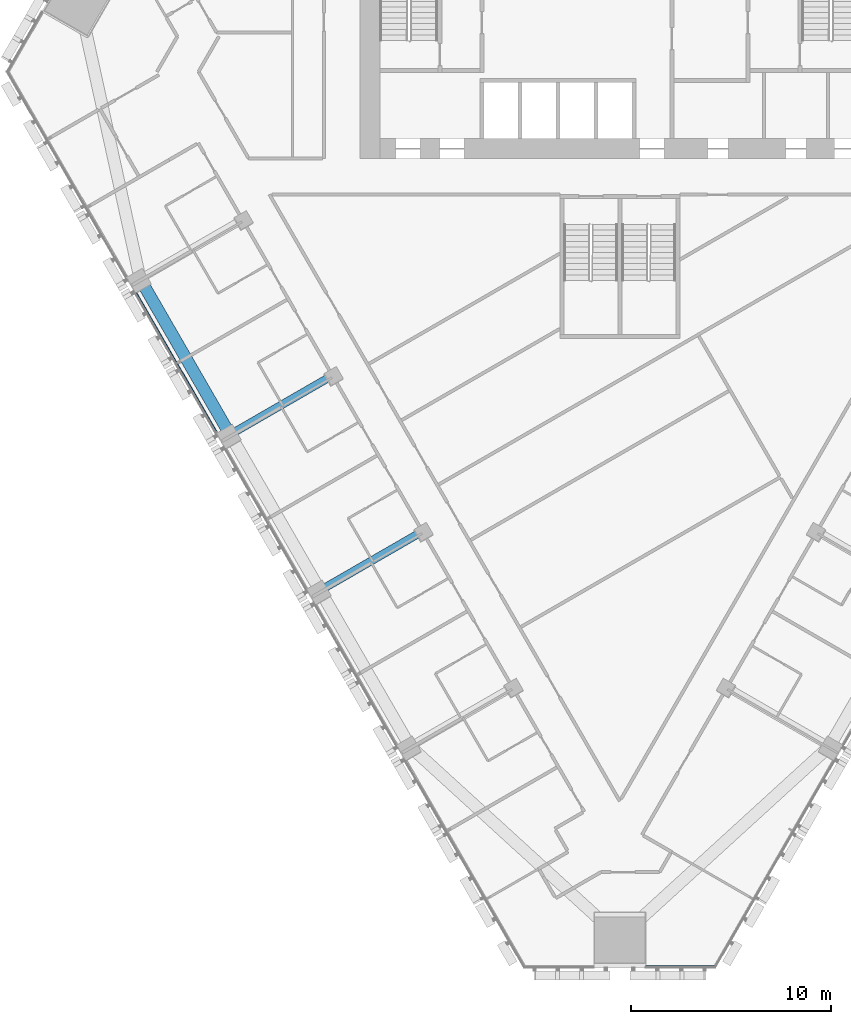
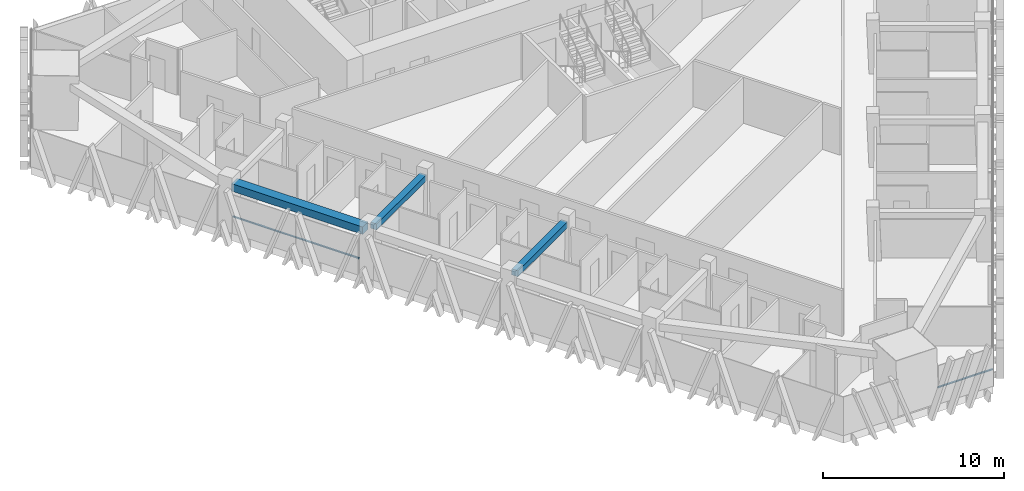
# One storey, part 3 of 18: 3 beams, 2 members, 2 elements without a shape of their own.
"""IFC4 building model written with IfcOpenShell, lengths in metres."""

from ifc_helpers import new_model, si_unit, direction, frame, origin, origin_2d, place, context, subcontext, project, spatial, rectangle, extrude, material, layer, layer_set, material_profile, profile_set, type_object, element, aggregate, save


model = new_model("IFC4")

# Units and contexts
model_context = context("Model", 3, precision=1e-05, world=origin(), true_north=direction((0.0, 1.0)))
body_context = subcontext(model_context, "Body", "Model", "MODEL_VIEW")
ifc_project = project(units=[si_unit("LENGTHUNIT", "METRE"), si_unit("AREAUNIT", "SQUARE_METRE"), si_unit("VOLUMEUNIT", "CUBIC_METRE"), si_unit("PLANEANGLEUNIT", "RADIAN"), si_unit("MASSUNIT", "GRAM", prefix="KILO")], contexts=[model_context])

# Site, building, storey
site_placement = place(None, origin())
site = spatial("IfcSite", under=ifc_project, at=site_placement, CompositionType="ELEMENT")
building_placement = place(site_placement, origin())
building = spatial("IfcBuilding", under=site, at=building_placement, Name="Altiplano Prism Tower", CompositionType="ELEMENT")
storey_placement = place(building_placement, frame((0.0, 0.0, 48.60009765625)))
storey = spatial("IfcBuildingStorey", under=building, at=storey_placement, Name="L11", CompositionType="ELEMENT", Elevation=48.60009765625)

# Curtain wall, member
ifc_material_1 = material(Name="Aluminium and glass", Category="aluminium")
ifc_layer = layer(ifc_material_1, 0.280029296875)
ifc_layer_set = layer_set([ifc_layer], Name="Aluminium and glass")
curtain_wall_type = type_object("IfcCurtainWallType", Name="CW1 typical co-living unitised curtain wall", PredefinedType="NOTDEFINED", material=ifc_layer_set)
curtain_wall_1_placement = place(storey_placement, origin())
curtain_wall_1 = element("IfcCurtainWall", 1, at=curtain_wall_1_placement, inside=storey, type_object=curtain_wall_type, Name="CW1 curtain wall south-west face L11", PredefinedType="NOTDEFINED")
ifc_material_2 = material(Name="Aluminium", Category="aluminium")
ifc_material_profile_1 = material_profile(ifc_material_2, rectangle(XDim=0.06005859375, YDim=0.080078125, at=origin_2d()), Name="CW1 transom 80 x 60")
ifc_profile_set_1 = profile_set([ifc_material_profile_1], Name="Aluminium")
member_type = type_object("IfcMemberType", Name="CW1 transom 80 x 60", PredefinedType="USERDEFINED", material=ifc_profile_set_1)
member_1_placement = place(storey_placement, frame((60.829345703125, 85.667236328125, 1.099853515625), z_axis=(0.500012318566, -0.86601829154, 0.0), x_axis=(0.86601829154, 0.500012318566, 0.0)))
member_1 = element("IfcMember", 2, at=member_1_placement, type_object=member_type, Name="CW1 transom", ObjectType="TRANSOM", PredefinedType="USERDEFINED", context=body_context, shape_type="SweptSolid", body=[
    extrude(rectangle(XDim=0.06005859375, YDim=0.080078125, at=origin_2d()), origin(), (0.0, 0.0, 1.0), 8.019775390625),
])
aggregate(curtain_wall_1, [member_1])

curtain_wall_2_placement = place(storey_placement, origin())
curtain_wall_2 = element("IfcCurtainWall", 3, at=curtain_wall_2_placement, inside=storey, type_object=curtain_wall_type, Name="CW1 curtain wall south chamfer L11", PredefinedType="NOTDEFINED")
member_2_placement = place(storey_placement, frame((86.300048828125, 51.992919921875, 1.099853515625), z_axis=(1.0, 0.0, 0.0), x_axis=(0.0, 1.0, 0.0)))
member_2 = element("IfcMember", 4, at=member_2_placement, type_object=member_type, Name="CW1 transom", ObjectType="TRANSOM", PredefinedType="USERDEFINED", context=body_context, shape_type="SweptSolid", body=[
    extrude(rectangle(XDim=0.06005859375, YDim=0.080078125, at=origin_2d()), origin(), (0.0, 0.0, 1.0), 3.468994140625),
])
aggregate(curtain_wall_2, [member_2])

# Beams
ifc_material_3 = material(Name="Concrete C60/75", Category="concrete")
ifc_material_profile_2 = material_profile(ifc_material_3, rectangle(XDim=0.60009765625, YDim=0.5, at=origin_2d()), Name="Edge beam 600x500")
ifc_profile_set_2 = profile_set([ifc_material_profile_2], Name="Concrete C60/75")
beam_type_1 = type_object("IfcBeamType", Name="Edge beam 600x500", PredefinedType="SPANDREL", material=ifc_profile_set_2)
beam_placement = place(storey_placement, frame((61.17822265625, 86.100341796875, 2.849853515625), z_axis=(0.499992746786, -0.866029591389, 0.0), x_axis=(0.866029591389, 0.499992746786, 0.0)))
element("IfcBeam", 5, at=beam_placement, inside=storey, type_object=beam_type_1, Name="Edge beam P11-P12 L12", PredefinedType="SPANDREL", context=body_context, shape_type="SweptSolid", body=[
    extrude(rectangle(XDim=0.60009765625, YDim=0.5, at=origin_2d()), origin(), (0.0, 0.0, 1.0), 8.33984375),
])
ifc_material_profile_3 = material_profile(ifc_material_3, rectangle(XDim=0.39990234375, YDim=0.39990234375, at=origin_2d()), Name="Tie beam 400x400")
ifc_profile_set_3 = profile_set([ifc_material_profile_3], Name="Concrete C60/75")
beam_type_2 = type_object("IfcBeamType", Name="Tie beam 400x400", PredefinedType="BEAM", material=ifc_profile_set_3)
for number, where, z_axis, x_axis, name in (
    (6, (70.553466796875, 81.501953125, 2.89990234375), (-0.866023410697, -0.500003452112, 0.0), (0.500003452112, -0.866023410697, 0.0), "Tie beam I12 L12"),
    (7, (75.053466796875, 73.707763671875, 2.89990234375), (-0.866023410697, -0.500003452112, 0.0), (0.500003452112, -0.866023410697, 0.0), "Tie beam I13 L12"),
):
    element("IfcBeam", number, at=place(storey_placement, frame(where, z_axis=z_axis, x_axis=x_axis)), inside=storey, type_object=beam_type_2, Name=name, PredefinedType="BEAM", context=body_context, shape_type="SweptSolid", body=[
        extrude(rectangle(XDim=0.39990234375, YDim=0.39990234375, at=origin_2d()), origin(), (0.0, 0.0, 1.0), 5.490234375),
    ])

save(model, "model.ifc")
